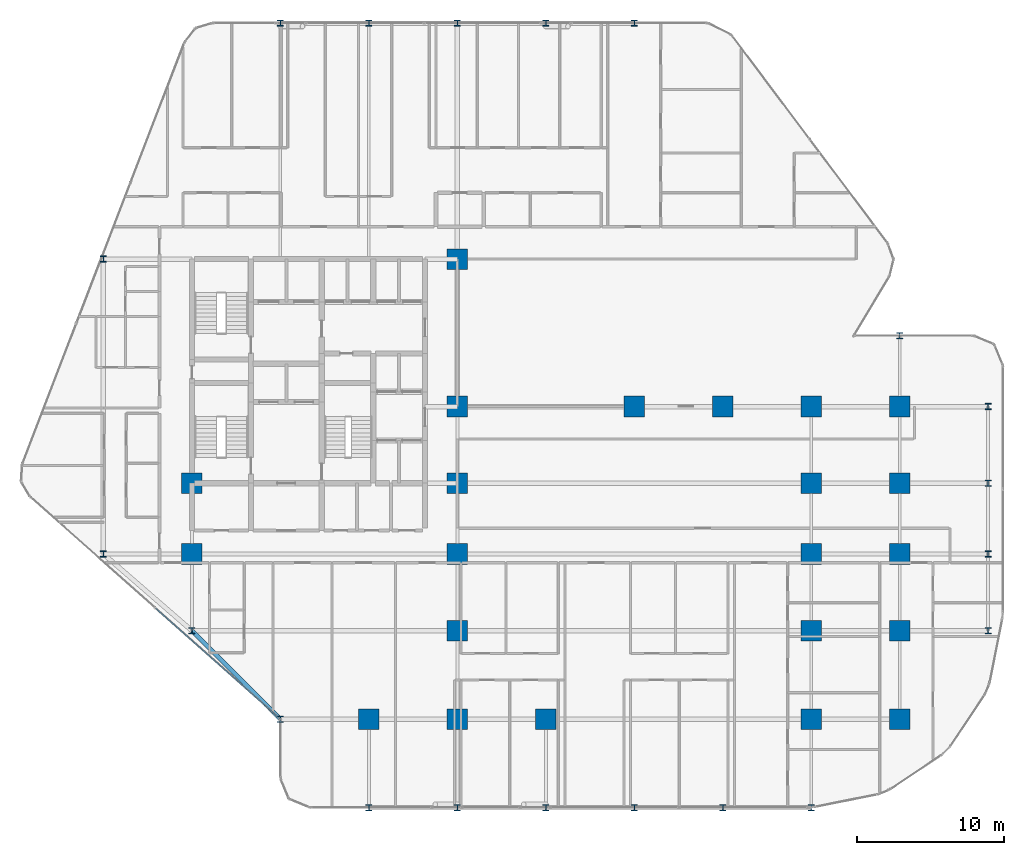
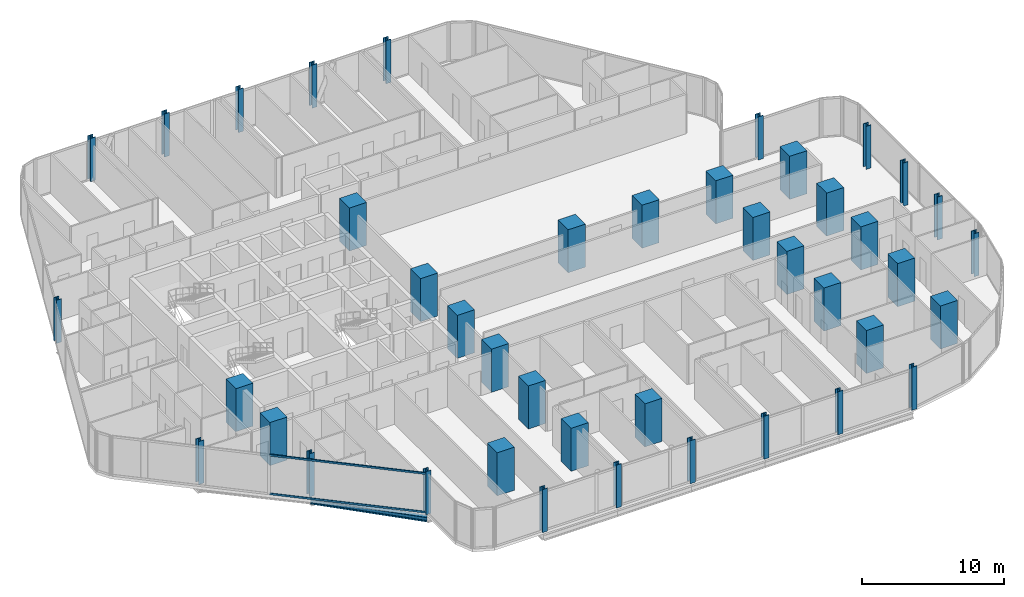
# One storey, part 1 of 33: 42 columns, 2 members, 1 beam, 1 element without a shape of its own.
"""IFC4 building model written with IfcOpenShell, lengths in metres."""

from ifc_helpers import new_model, si_unit, direction, frame, origin, origin_2d, place, context, subcontext, project, spatial, rectangle, hollow_rectangle, i_section, extrude, material, layer, layer_set, material_profile, profile_set, type_object, element, aggregate, save


model = new_model("IFC4")

# Units and contexts
model_context = context("Model", 3, precision=1e-05, world=origin(), true_north=direction((0.0, 1.0)))
body_context = subcontext(model_context, "Body", "Model", "MODEL_VIEW")
ifc_project = project(units=[si_unit("LENGTHUNIT", "METRE"), si_unit("AREAUNIT", "SQUARE_METRE"), si_unit("VOLUMEUNIT", "CUBIC_METRE"), si_unit("PLANEANGLEUNIT", "RADIAN"), si_unit("MASSUNIT", "GRAM", prefix="KILO")], contexts=[model_context])

# Site, building, storey
site_placement = place(None, origin())
site = spatial("IfcSite", under=ifc_project, at=site_placement, CompositionType="ELEMENT")
building_placement = place(site_placement, origin())
building = spatial("IfcBuilding", under=site, at=building_placement, Name="Keshet Zoharim Tower", CompositionType="ELEMENT")
storey_placement = place(building_placement, frame((0.0, 0.0, 49.89990234375)))
storey = spatial("IfcBuildingStorey", under=building, at=storey_placement, Name="L11", CompositionType="ELEMENT", Elevation=49.89990234375)

# Columns
ifc_material_1 = material(Name="Steel S355", Category="steel")
ifc_material_profile_1 = material_profile(ifc_material_1, i_section(OverallWidth=0.408935546875, OverallDepth=0.425048828125, WebThickness=0.031982421875, FlangeThickness=0.052490234375, FilletRadius=0.014892578125, at=origin_2d()), Name="HD400x421")
ifc_profile_set_1 = profile_set([ifc_material_profile_1], Name="Steel S355")
column_type_1 = type_object("IfcColumnType", Name="COL-HD421", PredefinedType="COLUMN", material=ifc_profile_set_1)
for number, where, z_axis, x_axis, name in (
    (1, (9.0, 17.89990234375, 0.0), (0.0, 0.0, 1.0), (1.0, 0.0, 0.0), "L11 Column 2D"),
    (2, (9.0, 37.89990234375, 0.0), (0.0, 0.0, 1.0), (1.0, 0.0, 0.0), "L11 Column 2H"),
    (3, (15.0, 12.699951171875, 0.0), (0.0, 0.0, 1.0), (1.0, 0.0, 0.0), "L11 Column 3C"),
    (4, (21.0, 6.699951171875, 0.0), (0.0, 0.0, 1.0), (1.0, 0.0, 0.0), "L11 Column 4B"),
    (5, (21.0, 53.89990234375, 0.0), (0.0, 0.0, 1.0), (1.0, 0.0, 0.0), "L11 Column 4L"),
    (6, (27.0, 0.699951171875, 0.0), (0.0, 0.0, 1.0), (1.0, 0.0, 0.0), "L11 Column 5A"),
    (7, (27.0, 53.89990234375, 0.0), (0.0, 0.0, 1.0), (1.0, 0.0, 0.0), "L11 Column 5L"),
    (8, (33.0, 0.699951171875, 0.0), (0.0, 0.0, 1.0), (1.0, 0.0, 0.0), "L11 Column 6A"),
    (9, (33.0, 53.89990234375, 0.0), (0.0, 0.0, 1.0), (1.0, 0.0, 0.0), "L11 Column 6L"),
    (10, (39.0, 0.699951171875, 0.0), (0.0, 0.0, 1.0), (1.0, 0.0, 0.0), "L11 Column 7A"),
    (11, (39.0, 53.89990234375, 0.0), (0.0, 0.0, 1.0), (1.0, 0.0, 0.0), "L11 Column 7L"),
    (12, (45.0, 0.699951171875, 0.0), (0.0, 0.0, 1.0), (1.0, 0.0, 0.0), "L11 Column 8A"),
    (13, (45.0, 53.89990234375, 0.0), (0.0, 0.0, 1.0), (1.0, 0.0, 0.0), "L11 Column 8L"),
    (14, (51.0, 0.699951171875, 0.0), (0.0, 0.0, 1.0), (1.0, 0.0, 0.0), "L11 Column 9A"),
    (15, (57.0, 0.699951171875, 0.0), (0.0, 0.0, 1.0), (1.0, 0.0, 0.0), "L11 Column 10A"),
    (16, (63.0, 32.699951171875, 0.0), (0.0, 0.0, 1.0), (1.0, 0.0, 0.0), "L11 Column 11G"),
    (17, (69.0, 12.699951171875, 0.0), (0.0, 0.0, 1.0), (1.0, 0.0, 0.0), "L11 Column 12C"),
    (18, (69.0, 17.89990234375, 0.0), (0.0, 0.0, 1.0), (1.0, 0.0, 0.0), "L11 Column 12D"),
    (19, (69.0, 22.699951171875, 0.0), (0.0, 0.0, 1.0), (1.0, 0.0, 0.0), "L11 Column 12E"),
    (20, (69.0, 27.89990234375, 0.0), (0.0, 0.0, 1.0), (1.0, 0.0, 0.0), "L11 Column 12F"),
):
    element("IfcColumn", number, at=place(storey_placement, frame(where, z_axis=z_axis, x_axis=x_axis)), inside=storey, type_object=column_type_1, Name=name, PredefinedType="COLUMN", context=body_context, shape_type="SweptSolid", body=[
        extrude(i_section(OverallWidth=0.408935546875, OverallDepth=0.425048828125, WebThickness=0.031982421875, FlangeThickness=0.052490234375, FilletRadius=0.014892578125, at=origin_2d()), origin(), (0.0, 0.0, 1.0), 3.7001953125),
    ])
ifc_material_2 = material(Name="Concrete C60/75", Category="concrete")
ifc_material_profile_2 = material_profile(ifc_material_2, rectangle(XDim=1.39990234375, YDim=1.39990234375, at=origin_2d()), Name="RC1400x1400")
ifc_profile_set_2 = profile_set([ifc_material_profile_2], Name="Concrete C60/75")
column_type_2 = type_object("IfcColumnType", Name="COL-RC1400", PredefinedType="COLUMN", material=ifc_profile_set_2)
for number, where, z_axis, x_axis, name in (
    (21, (15.0, 17.89990234375, 0.0), (0.0, 0.0, 1.0), (1.0, 0.0, 0.0), "L11 Column 3D"),
    (22, (15.0, 22.699951171875, 0.0), (0.0, 0.0, 1.0), (1.0, 0.0, 0.0), "L11 Column 3E"),
    (23, (27.0, 6.699951171875, 0.0), (0.0, 0.0, 1.0), (1.0, 0.0, 0.0), "L11 Column 5B"),
    (24, (33.0, 6.699951171875, 0.0), (0.0, 0.0, 1.0), (1.0, 0.0, 0.0), "L11 Column 6B"),
    (25, (33.0, 12.699951171875, 0.0), (0.0, 0.0, 1.0), (1.0, 0.0, 0.0), "L11 Column 6C"),
    (26, (33.0, 17.89990234375, 0.0), (0.0, 0.0, 1.0), (1.0, 0.0, 0.0), "L11 Column 6D"),
    (27, (33.0, 22.699951171875, 0.0), (0.0, 0.0, 1.0), (1.0, 0.0, 0.0), "L11 Column 6E"),
    (28, (33.0, 27.89990234375, 0.0), (0.0, 0.0, 1.0), (1.0, 0.0, 0.0), "L11 Column 6F"),
    (29, (33.0, 37.89990234375, 0.0), (0.0, 0.0, 1.0), (1.0, 0.0, 0.0), "L11 Column 6H"),
    (30, (39.0, 6.699951171875, 0.0), (0.0, 0.0, 1.0), (1.0, 0.0, 0.0), "L11 Column 7B"),
    (31, (45.0, 27.89990234375, 0.0), (0.0, 0.0, 1.0), (1.0, 0.0, 0.0), "L11 Column 8F"),
    (32, (51.0, 27.89990234375, 0.0), (0.0, 0.0, 1.0), (1.0, 0.0, 0.0), "L11 Column 9F"),
    (33, (57.0, 6.699951171875, 0.0), (0.0, 0.0, 1.0), (1.0, 0.0, 0.0), "L11 Column 10B"),
    (34, (57.0, 12.699951171875, 0.0), (0.0, 0.0, 1.0), (1.0, 0.0, 0.0), "L11 Column 10C"),
    (35, (57.0, 17.89990234375, 0.0), (0.0, 0.0, 1.0), (1.0, 0.0, 0.0), "L11 Column 10D"),
    (36, (57.0, 22.699951171875, 0.0), (0.0, 0.0, 1.0), (1.0, 0.0, 0.0), "L11 Column 10E"),
    (37, (57.0, 27.89990234375, 0.0), (0.0, 0.0, 1.0), (1.0, 0.0, 0.0), "L11 Column 10F"),
    (38, (63.0, 6.699951171875, 0.0), (0.0, 0.0, 1.0), (1.0, 0.0, 0.0), "L11 Column 11B"),
    (39, (63.0, 12.699951171875, 0.0), (0.0, 0.0, 1.0), (1.0, 0.0, 0.0), "L11 Column 11C"),
    (40, (63.0, 17.89990234375, 0.0), (0.0, 0.0, 1.0), (1.0, 0.0, 0.0), "L11 Column 11D"),
    (41, (63.0, 22.699951171875, 0.0), (0.0, 0.0, 1.0), (1.0, 0.0, 0.0), "L11 Column 11E"),
    (42, (63.0, 27.89990234375, 0.0), (0.0, 0.0, 1.0), (1.0, 0.0, 0.0), "L11 Column 11F"),
):
    element("IfcColumn", number, at=place(storey_placement, frame(where, z_axis=z_axis, x_axis=x_axis)), inside=storey, type_object=column_type_2, Name=name, PredefinedType="COLUMN", context=body_context, shape_type="SweptSolid", body=[
        extrude(rectangle(XDim=1.39990234375, YDim=1.39990234375, at=origin_2d()), origin(), (0.0, 0.0, 1.0), 3.7001953125),
    ])

# Beam
ifc_material_profile_3 = material_profile(ifc_material_1, i_section(OverallWidth=0.300048828125, OverallDepth=0.39990234375, WebThickness=0.013427734375, FlangeThickness=0.02392578125, FilletRadius=0.027099609375, at=origin_2d()), Name="HEB400")
ifc_profile_set_3 = profile_set([ifc_material_profile_3], Name="Steel S355")
beam_type = type_object("IfcBeamType", Name="BM-SPN-HB400", PredefinedType="SPANDREL", material=ifc_profile_set_3)
beam_placement = place(storey_placement, frame((21.0, 6.699951171875, -0.514892578125), z_axis=(-0.707106781187, 0.707106781187, 0.0), x_axis=(-0.707106781187, -0.707106781187, 0.0)))
element("IfcBeam", 43, at=beam_placement, inside=storey, type_object=beam_type, Name="L11 Perimeter Spandrel Beam 01", PredefinedType="SPANDREL", context=body_context, shape_type="SweptSolid", body=[
    extrude(i_section(OverallWidth=0.300048828125, OverallDepth=0.39990234375, WebThickness=0.013427734375, FlangeThickness=0.02392578125, FilletRadius=0.027099609375, at=origin_2d()), origin(), (0.0, 0.0, 1.0), 8.4853515625),
])

# Curtain wall, members
ifc_material_3 = material(Name="Aluminium 6063-T6", Category="aluminium")
ifc_layer = layer(ifc_material_3, 0.179931640625)
ifc_layer_set = layer_set([ifc_layer], Name="Aluminium 6063-T6")
curtain_wall_type = type_object("IfcCurtainWallType", Name="CW-SYS-01", PredefinedType="NOTDEFINED", material=ifc_layer_set)
curtain_wall_placement = place(storey_placement, origin())
curtain_wall = element("IfcCurtainWall", 44, at=curtain_wall_placement, inside=storey, type_object=curtain_wall_type, Name="L11 Unitised Curtain Wall 01", PredefinedType="NOTDEFINED")
ifc_material_profile_4 = material_profile(ifc_material_3, hollow_rectangle(XDim=0.0849609375, YDim=0.159912109375, WallThickness=0.00439453125, at=origin_2d()), Name="TRN-85x160")
ifc_profile_set_4 = profile_set([ifc_material_profile_4], Name="Aluminium 6063-T6")
member_type = type_object("IfcMemberType", Name="CWT-T16", PredefinedType="USERDEFINED", material=ifc_profile_set_4)
member_1_placement = place(storey_placement, frame((20.94775390625, 6.74658203125, 0.03515625), z_axis=(-0.747411714548, 0.664361143472, 0.0), x_axis=(-0.664361143472, -0.747411714548, 0.0)))
member_1 = element("IfcMember", 45, at=member_1_placement, type_object=member_type, Name="CW-01 transom 1.1", ObjectType="TRANSOM", PredefinedType="USERDEFINED", context=body_context, shape_type="SweptSolid", body=[
    extrude(hollow_rectangle(XDim=0.0849609375, YDim=0.159912109375, WallThickness=0.00439453125, at=origin_2d()), origin(), (0.0, 0.0, 1.0), 11.244140625),
])
member_2_placement = place(storey_placement, frame((20.94775390625, 6.74658203125, 3.35009765625), z_axis=(-0.747411714548, 0.664361143472, 0.0), x_axis=(-0.664361143472, -0.747411714548, 0.0)))
member_2 = element("IfcMember", 46, at=member_2_placement, type_object=member_type, Name="CW-01 transom 1.2", ObjectType="TRANSOM", PredefinedType="USERDEFINED", context=body_context, shape_type="SweptSolid", body=[
    extrude(hollow_rectangle(XDim=0.0849609375, YDim=0.159912109375, WallThickness=0.00439453125, at=origin_2d()), origin(), (0.0, 0.0, 1.0), 11.244140625),
])
aggregate(curtain_wall, [member_1, member_2])

save(model, "model.ifc")
